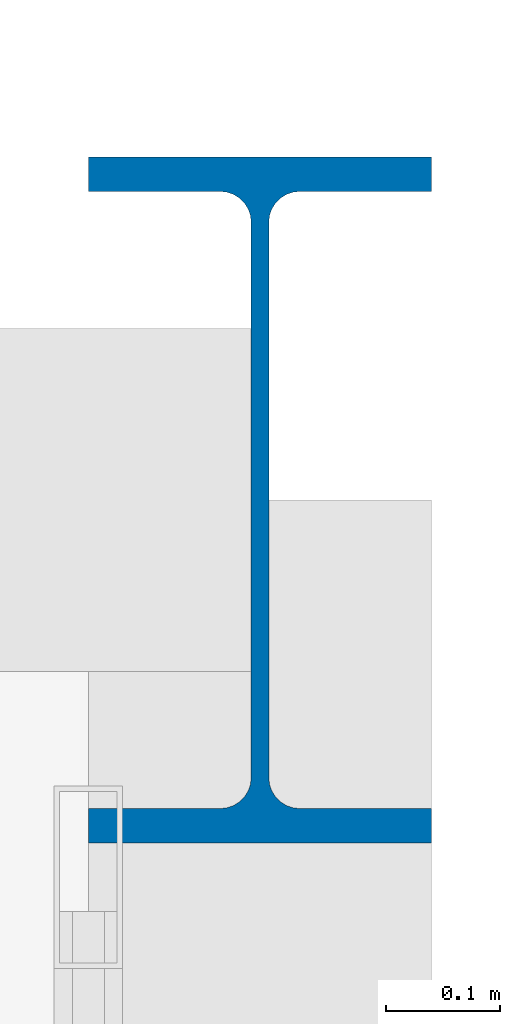
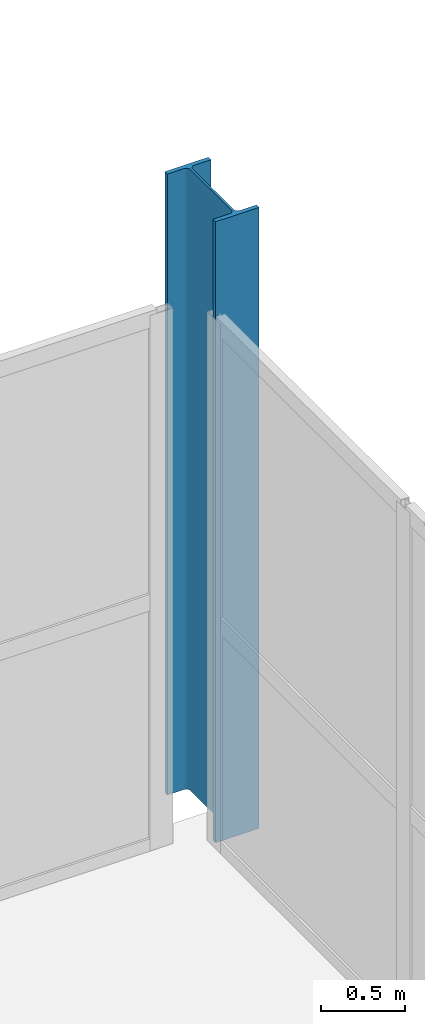
# One storey, part 8 of 130: 1 column.
"""IFC4 building model written with IfcOpenShell, lengths in metres."""

from ifc_helpers import new_model, si_unit, direction, frame, origin, origin_2d, place, context, subcontext, project, spatial, i_section, extrude, material, material_profile, profile_set, type_object, element, save


model = new_model("IFC4")

# Units and contexts
model_context = context("Model", 3, precision=1e-05, world=origin(), true_north=direction((0.0, 1.0)))
body_context = subcontext(model_context, "Body", "Model", "MODEL_VIEW")
ifc_project = project(units=[si_unit("LENGTHUNIT", "METRE"), si_unit("AREAUNIT", "SQUARE_METRE"), si_unit("VOLUMEUNIT", "CUBIC_METRE"), si_unit("PLANEANGLEUNIT", "RADIAN"), si_unit("MASSUNIT", "GRAM", prefix="KILO")], contexts=[model_context])

# Site, building, storey
site_placement = place(None, origin())
site = spatial("IfcSite", under=ifc_project, at=site_placement, CompositionType="ELEMENT")
building_placement = place(site_placement, origin())
building = spatial("IfcBuilding", under=site, at=building_placement, Name="Veltarok Museum of Natural Sciences", CompositionType="ELEMENT")
storey_placement = place(building_placement, frame((0.0, 0.0, 12.89990234375)))
storey = spatial("IfcBuildingStorey", under=building, at=storey_placement, Name="L02", CompositionType="ELEMENT", Elevation=12.89990234375)

# Column
ifc_material = material(Name="Steel S355J2", Category="steel")
ifc_material_profile = material_profile(ifc_material, i_section(OverallWidth=0.300048828125, OverallDepth=0.60009765625, WebThickness=0.015380859375, FlangeThickness=0.030029296875, FilletRadius=0.027099609375, at=origin_2d()), Name="HEB 600")
ifc_profile_set = profile_set([ifc_material_profile], Name="Steel S355J2")
column_type = type_object("IfcColumnType", Name="Perimeter Passage Column HEB 600", PredefinedType="COLUMN", material=ifc_profile_set)
column_placement = place(storey_placement, frame((98.800048828125, 72.0, 0.0), z_axis=(0.0, 0.0, 1.0), x_axis=(1.0, 0.0, 0.0)))
element("IfcColumn", 1, at=column_placement, inside=storey, type_object=column_type, Name="Column COL-EXT02 L02 12/H", PredefinedType="COLUMN", context=body_context, shape_type="SweptSolid", body=[
    extrude(i_section(OverallWidth=0.300048828125, OverallDepth=0.60009765625, WebThickness=0.015380859375, FlangeThickness=0.030029296875, FilletRadius=0.027099609375, at=origin_2d()), origin(), (0.0, 0.0, 1.0), 4.5),
])

save(model, "model.ifc")
